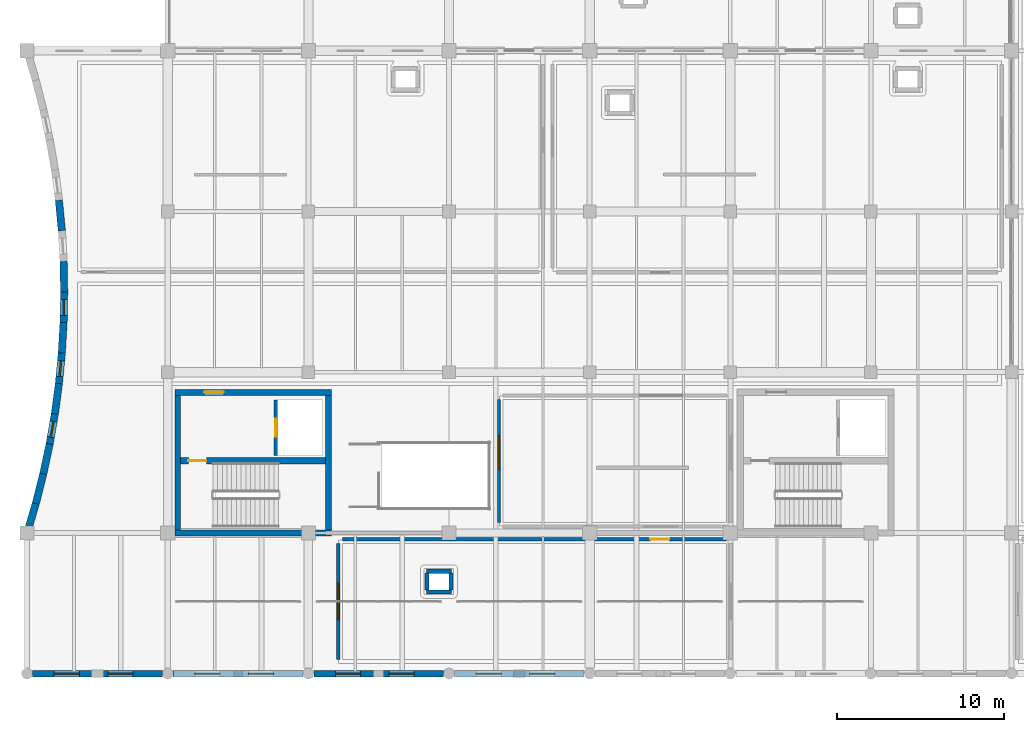
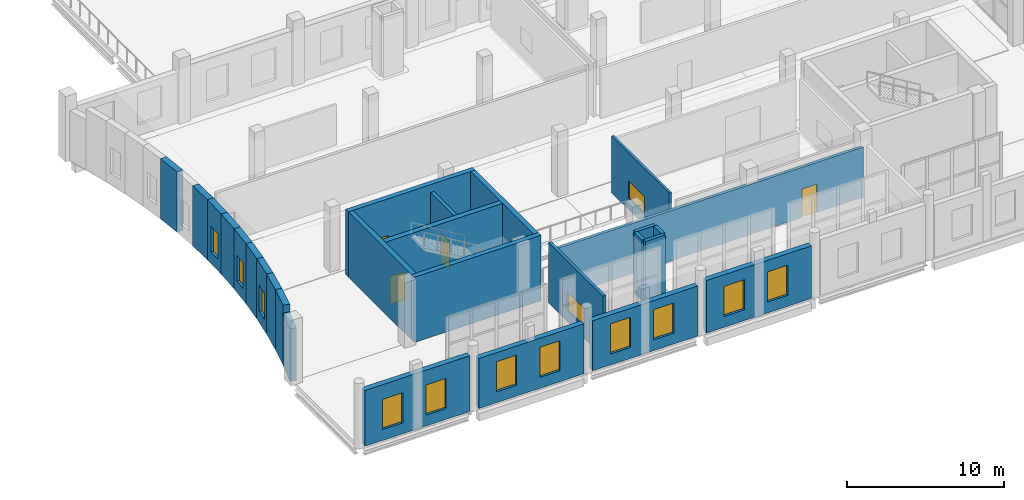
# One storey, part 54 of 73: 27 walls, 13 windows, 4 doors, 17 openings.
"""IFC4 building model written with IfcOpenShell, lengths in metres."""

from ifc_helpers import new_model, si_unit, direction, frame, frame_2d, origin, place, context, subcontext, project, spatial, rectangle, extrude, material, layer, layer_set, type_object, element, fill, save


model = new_model("IFC4")

# Units and contexts
model_context = context("Model", 3, precision=1e-05, world=origin(), true_north=direction((0.0, 1.0)))
body_context = subcontext(model_context, "Body", "Model", "MODEL_VIEW")
ifc_project = project(units=[si_unit("LENGTHUNIT", "METRE"), si_unit("AREAUNIT", "SQUARE_METRE"), si_unit("VOLUMEUNIT", "CUBIC_METRE"), si_unit("PLANEANGLEUNIT", "RADIAN"), si_unit("MASSUNIT", "GRAM", prefix="KILO")], contexts=[model_context])

# Site, building, storey
site_placement = place(None, origin())
site = spatial("IfcSite", under=ifc_project, at=site_placement, CompositionType="ELEMENT")
building_placement = place(site_placement, origin())
building = spatial("IfcBuilding", under=site, at=building_placement, Name="Zulmaris Art Gallery", CompositionType="ELEMENT")
storey_placement = place(building_placement, frame((0.0, 0.0, 10.5)))
storey = spatial("IfcBuildingStorey", under=building, at=storey_placement, Name="L02", CompositionType="ELEMENT", Elevation=10.5)

# Walls
ifc_material_1 = material(Name="Omani Cream Limestone Ashlar Masonry", Category="masonry")
ifc_layer_1 = layer(ifc_material_1, 0.43994140625)
ifc_layer_set_1 = layer_set([ifc_layer_1], Name="Omani Cream Limestone Ashlar Masonry")
wall_type_1 = type_object("IfcWallType", Name="ENV-WALL-EW01", PredefinedType="SOLIDWALL", material=ifc_layer_set_1)
wall_1_placement = place(storey_placement, frame((24.0, 21.60009765625, 0.0), z_axis=(0.0, 0.0, 1.0), x_axis=(0.281804764954, 0.959471768448, 0.0)))
element("IfcWall", 1, at=wall_1_placement, inside=storey, type_object=wall_type_1, Name="L02 Concave Scooped Limestone Chord 1", PredefinedType="SOLIDWALL", context=body_context, shape_type="SweptSolid", body=[
    extrude(rectangle(XDim=1.827880859375, YDim=0.43994140625, at=frame_2d((0.9140625, 0.0))), origin(), (0.0, 0.0, 1.0), 4.10009765625),
])
wall_2_placement = place(storey_placement, frame((24.51513671875, 23.35400390625, 0.0), z_axis=(0.0, 0.0, 1.0), x_axis=(0.245080262371, 0.969502792671, 0.0)))
element("IfcWall", 2, at=wall_2_placement, inside=storey, type_object=wall_type_1, Name="L02 Concave Scooped Limestone Chord 2", PredefinedType="SOLIDWALL", context=body_context, shape_type="SweptSolid", body=[
    extrude(rectangle(XDim=1.827880859375, YDim=0.43994140625, at=frame_2d((0.9140625, 0.0))), origin(), (0.0, 0.0, 1.0), 4.699951171875),
])
wall_3_placement = place(storey_placement, frame((24.963134765625, 25.126220703125, 0.0), z_axis=(0.0, 0.0, 1.0), x_axis=(0.207941813813, 0.978141197409, 0.0)))
element("IfcWall", 3, at=wall_3_placement, inside=storey, type_object=wall_type_1, Name="L02 Concave Scooped Limestone Chord 3", PredefinedType="SOLIDWALL", context=body_context, shape_type="SweptSolid", body=[
    extrude(rectangle(XDim=1.828125, YDim=0.43994140625, at=frame_2d((0.9140625, 0.0))), origin(), (0.0, 0.0, 1.0), 4.699951171875),
])

# Wall, opening, window
wall_4_placement = place(storey_placement, frame((25.34326171875, 26.914306640625, 0.0), z_axis=(0.0, 0.0, 1.0), x_axis=(0.170546420939, 0.985349642667, 0.0)))
wall_4 = element("IfcWall", 4, at=wall_4_placement, inside=storey, type_object=wall_type_1, Name="L02 Concave Scooped Limestone Chord 4", PredefinedType="SOLIDWALL", context=body_context, shape_type="SweptSolid", body=[
    extrude(rectangle(XDim=1.828125, YDim=0.43994140625, at=frame_2d((0.9140625, 0.0))), origin(), (0.0, 0.0, 1.0), 4.699951171875),
])
opening_1_placement = place(wall_4_placement, frame((0.419921875, 0.0, 0.89990234375)))
opening_1 = element("IfcOpeningElement", 5, at=opening_1_placement, cuts=wall_4, Name="Opening W06", PredefinedType="OPENING", context=body_context, shape_type="SweptSolid", body=[
    extrude(rectangle(XDim=0.949951171875, YDim=2.0, at=frame_2d((0.47509765625, 1.0))), frame((0.0, 0.22998046875, 0.0), z_axis=(0.0, -1.0, 0.0), x_axis=(1.0, 0.0, 0.0)), (0.0, 0.0, 1.0), 0.4599609375),
])
ifc_material_2 = material(Name="Art Deco Stepped-Head Pier Window", Category="glass")
window_type_1 = type_object("IfcWindowType", Name="WIN-W06", PartitioningType="SINGLE_PANEL", PredefinedType="WINDOW", material=ifc_material_2)
window_1_placement = place(opening_1_placement, origin())
window_1 = element("IfcWindow", 6, at=window_1_placement, inside=storey, type_object=window_type_1, Name="L02 exterior window W06", OverallHeight=2.0, OverallWidth=0.949951171875, PartitioningType="SINGLE_PANEL", PredefinedType="WINDOW", context=body_context, shape_type="SweptSolid", body=[
    extrude(rectangle(XDim=0.949951171875, YDim=2.0, at=frame_2d((0.47509765625, 1.0))), frame((0.0, 0.030029296875, 0.0), z_axis=(0.0, -1.0, 0.0), x_axis=(1.0, 0.0, 0.0)), (0.0, 0.0, 1.0), 0.06005859375),
])
fill(opening_1, window_1)

# Wall
wall_5_placement = place(storey_placement, frame((25.655029296875, 28.715576171875, 0.0), z_axis=(0.0, 0.0, 1.0), x_axis=(0.132872205914, 0.991133178183, 0.0)))
element("IfcWall", 7, at=wall_5_placement, inside=storey, type_object=wall_type_1, Name="L02 Concave Scooped Limestone Chord 5", PredefinedType="SOLIDWALL", context=body_context, shape_type="SweptSolid", body=[
    extrude(rectangle(XDim=1.828125, YDim=0.43994140625, at=frame_2d((0.9140625, 0.0))), origin(), (0.0, 0.0, 1.0), 4.699951171875),
])

# Wall, opening, window
wall_6_placement = place(storey_placement, frame((25.89794921875, 30.527587890625, 0.0), z_axis=(0.0, 0.0, 1.0), x_axis=(0.095099032001, 0.995467816714, 0.0)))
wall_6 = element("IfcWall", 8, at=wall_6_placement, inside=storey, type_object=wall_type_1, Name="L02 Concave Scooped Limestone Chord 6", PredefinedType="SOLIDWALL", context=body_context, shape_type="SweptSolid", body=[
    extrude(rectangle(XDim=1.827880859375, YDim=0.43994140625, at=frame_2d((0.9140625, 0.0))), origin(), (0.0, 0.0, 1.0), 4.699951171875),
])
opening_2_placement = place(wall_6_placement, frame((0.419921875, 0.0, 0.89990234375)))
opening_2 = element("IfcOpeningElement", 9, at=opening_2_placement, cuts=wall_6, Name="Opening W06", PredefinedType="OPENING", context=body_context, shape_type="SweptSolid", body=[
    extrude(rectangle(XDim=0.949951171875, YDim=2.0, at=frame_2d((0.47509765625, 1.0))), frame((0.0, 0.22998046875, 0.0), z_axis=(0.0, -1.0, 0.0), x_axis=(1.0, 0.0, 0.0)), (0.0, 0.0, 1.0), 0.4599609375),
])
window_2_placement = place(opening_2_placement, origin())
window_2 = element("IfcWindow", 10, at=window_2_placement, inside=storey, type_object=window_type_1, Name="L02 exterior window W06", OverallHeight=2.0, OverallWidth=0.949951171875, PartitioningType="SINGLE_PANEL", PredefinedType="WINDOW", context=body_context, shape_type="SweptSolid", body=[
    extrude(rectangle(XDim=0.949951171875, YDim=2.0, at=frame_2d((0.47509765625, 1.0))), frame((0.0, 0.030029296875, 0.0), z_axis=(0.0, -1.0, 0.0), x_axis=(1.0, 0.0, 0.0)), (0.0, 0.0, 1.0), 0.06005859375),
])
fill(opening_2, window_2)

# Wall
wall_7_placement = place(storey_placement, frame((26.07177734375, 32.34716796875, 0.0), z_axis=(0.0, 0.0, 1.0), x_axis=(0.057023168702, 0.998372855316, 0.0)))
element("IfcWall", 11, at=wall_7_placement, inside=storey, type_object=wall_type_1, Name="L02 Concave Scooped Limestone Chord 7", PredefinedType="SOLIDWALL", context=body_context, shape_type="SweptSolid", body=[
    extrude(rectangle(XDim=1.828125, YDim=0.43994140625, at=frame_2d((0.9140625, 0.0))), origin(), (0.0, 0.0, 1.0), 4.699951171875),
])

# Wall, opening, window
wall_8_placement = place(storey_placement, frame((26.176025390625, 34.17236328125, 0.0), z_axis=(0.0, 0.0, 1.0), x_axis=(0.019098840085, 0.999817600519, 0.0)))
wall_8 = element("IfcWall", 12, at=wall_8_placement, inside=storey, type_object=wall_type_1, Name="L02 Concave Scooped Limestone Chord 8", PredefinedType="SOLIDWALL", context=body_context, shape_type="SweptSolid", body=[
    extrude(rectangle(XDim=1.827880859375, YDim=0.43994140625, at=frame_2d((0.9140625, 0.0))), origin(), (0.0, 0.0, 1.0), 4.699951171875),
])
opening_3_placement = place(wall_8_placement, frame((0.419921875, 0.0, 0.89990234375)))
opening_3 = element("IfcOpeningElement", 13, at=opening_3_placement, cuts=wall_8, Name="Opening W06", PredefinedType="OPENING", context=body_context, shape_type="SweptSolid", body=[
    extrude(rectangle(XDim=0.949951171875, YDim=2.0, at=frame_2d((0.47509765625, 1.0))), frame((0.0, 0.22998046875, 0.0), z_axis=(0.0, -1.0, 0.0), x_axis=(1.0, 0.0, 0.0)), (0.0, 0.0, 1.0), 0.4599609375),
])
window_3_placement = place(opening_3_placement, origin())
window_3 = element("IfcWindow", 14, at=window_3_placement, inside=storey, type_object=window_type_1, Name="L02 exterior window W06", OverallHeight=2.0, OverallWidth=0.949951171875, PartitioningType="SINGLE_PANEL", PredefinedType="WINDOW", context=body_context, shape_type="SweptSolid", body=[
    extrude(rectangle(XDim=0.949951171875, YDim=2.0, at=frame_2d((0.47509765625, 1.0))), frame((0.0, 0.030029296875, 0.0), z_axis=(0.0, -1.0, 0.0), x_axis=(1.0, 0.0, 0.0)), (0.0, 0.0, 1.0), 0.06005859375),
])
fill(opening_3, window_3)

# Walls
for number, where, z_axis, x_axis, name in (
    (15, (26.2109375, 36.0, 0.0), (0.0, 0.0, 1.0), (-0.019098840085, 0.999817600519, 0.0), "L02 Concave Scooped Limestone Chord 9"),
    (16, (26.07177734375, 39.65283203125, 0.0), (0.0, 0.0, 1.0), (-0.095099032001, 0.995467816714, 0.0), "L02 Concave Scooped Limestone Chord 11"),
):
    element("IfcWall", number, at=place(storey_placement, frame(where, z_axis=z_axis, x_axis=x_axis)), inside=storey, type_object=wall_type_1, Name=name, PredefinedType="SOLIDWALL", context=body_context, shape_type="SweptSolid", body=[
        extrude(rectangle(XDim=1.827880859375, YDim=0.43994140625, at=frame_2d((0.9140625, 0.0))), origin(), (0.0, 0.0, 1.0), 4.699951171875),
    ])

# Wall, openings, windows
ifc_material_3 = material(Name="Omani Desert Rose Limestone Cladding Wall", Category="masonry")
ifc_layer_2 = layer(ifc_material_3, 0.389892578125)
ifc_layer_set_2 = layer_set([ifc_layer_2], Name="Omani Desert Rose Limestone Cladding Wall")
wall_type_2 = type_object("IfcWallType", Name="ENV-WALL-EW02", PredefinedType="SOLIDWALL", material=ifc_layer_set_2)
wall_9_placement = place(storey_placement, frame((24.326904296875, 13.199951171875, 0.0), z_axis=(0.0, 0.0, 1.0), x_axis=(1.0, 0.0, 0.0)))
wall_9 = element("IfcWall", 17, at=wall_9_placement, inside=storey, type_object=wall_type_2, Name="L02 V2 South Street Wall 1", PredefinedType="SOLIDWALL", context=body_context, shape_type="SweptSolid", body=[
    extrude(rectangle(XDim=7.74609375, YDim=0.389892578125, at=frame_2d((3.873046875, 0.0))), origin(), (0.0, 0.0, 1.0), 4.35009765625),
])
opening_4_placement = place(wall_9_placement, frame((1.29296875, 0.0, 0.85009765625)))
opening_4 = element("IfcOpeningElement", 18, at=opening_4_placement, cuts=wall_9, Name="Opening W07", PredefinedType="OPENING", context=body_context, shape_type="SweptSolid", body=[
    extrude(rectangle(XDim=1.5, YDim=2.35009765625, at=frame_2d((0.75, 1.175048828125))), frame((0.0, 0.204833984375, 0.0), z_axis=(0.0, -1.0, 0.0), x_axis=(1.0, 0.0, 0.0)), (0.0, 0.0, 1.0), 0.409912109375),
])
opening_5_placement = place(wall_9_placement, frame((4.492919921875, 0.0, 0.85009765625)))
opening_5 = element("IfcOpeningElement", 19, at=opening_5_placement, cuts=wall_9, Name="Opening W07", PredefinedType="OPENING", context=body_context, shape_type="SweptSolid", body=[
    extrude(rectangle(XDim=1.5, YDim=2.35009765625, at=frame_2d((0.75, 1.175048828125))), frame((0.0, 0.204833984375, 0.0), z_axis=(0.0, -1.0, 0.0), x_axis=(1.0, 0.0, 0.0)), (0.0, 0.0, 1.0), 0.409912109375),
])
ifc_material_4 = material(Name="Gallery Cloister Bronze Window", Category="glass")
window_type_2 = type_object("IfcWindowType", Name="WIN-W07", PartitioningType="SINGLE_PANEL", PredefinedType="WINDOW", material=ifc_material_4)
window_4_placement = place(opening_4_placement, origin())
window_4 = element("IfcWindow", 20, at=window_4_placement, inside=storey, type_object=window_type_2, Name="L02 exterior window W07", OverallHeight=2.35009765625, OverallWidth=1.5, PartitioningType="SINGLE_PANEL", PredefinedType="WINDOW", context=body_context, shape_type="SweptSolid", body=[
    extrude(rectangle(XDim=1.5, YDim=2.35009765625, at=frame_2d((0.75, 1.175048828125))), frame((0.0, 0.030029296875, 0.0), z_axis=(0.0, -1.0, 0.0), x_axis=(1.0, 0.0, 0.0)), (0.0, 0.0, 1.0), 0.06005859375),
])
fill(opening_4, window_4)
window_5_placement = place(opening_5_placement, origin())
window_5 = element("IfcWindow", 21, at=window_5_placement, inside=storey, type_object=window_type_2, Name="L02 exterior window W07", OverallHeight=2.35009765625, OverallWidth=1.5, PartitioningType="SINGLE_PANEL", PredefinedType="WINDOW", context=body_context, shape_type="SweptSolid", body=[
    extrude(rectangle(XDim=1.5, YDim=2.35009765625, at=frame_2d((0.75, 1.175048828125))), frame((0.0, 0.030029296875, 0.0), z_axis=(0.0, -1.0, 0.0), x_axis=(1.0, 0.0, 0.0)), (0.0, 0.0, 1.0), 0.06005859375),
])
fill(opening_5, window_5)

wall_10_placement = place(storey_placement, frame((32.72705078125, 13.199951171875, 0.0), z_axis=(0.0, 0.0, 1.0), x_axis=(1.0, 0.0, 0.0)))
wall_10 = element("IfcWall", 22, at=wall_10_placement, inside=storey, type_object=wall_type_2, Name="L02 V2 South Street Wall 2", PredefinedType="SOLIDWALL", context=body_context, shape_type="SweptSolid", body=[
    extrude(rectangle(XDim=7.745849609375, YDim=0.389892578125, at=frame_2d((3.873046875, 0.0))), origin(), (0.0, 0.0, 1.0), 3.89990234375),
])
opening_6_placement = place(wall_10_placement, frame((1.29296875, 0.0, 0.85009765625)))
opening_6 = element("IfcOpeningElement", 23, at=opening_6_placement, cuts=wall_10, Name="Opening W07", PredefinedType="OPENING", context=body_context, shape_type="SweptSolid", body=[
    extrude(rectangle(XDim=1.5, YDim=2.35009765625, at=frame_2d((0.75, 1.175048828125))), frame((0.0, 0.204833984375, 0.0), z_axis=(0.0, -1.0, 0.0), x_axis=(1.0, 0.0, 0.0)), (0.0, 0.0, 1.0), 0.409912109375),
])
opening_7_placement = place(wall_10_placement, frame((4.492919921875, 0.0, 0.85009765625)))
opening_7 = element("IfcOpeningElement", 24, at=opening_7_placement, cuts=wall_10, Name="Opening W07", PredefinedType="OPENING", context=body_context, shape_type="SweptSolid", body=[
    extrude(rectangle(XDim=1.5, YDim=2.35009765625, at=frame_2d((0.75, 1.175048828125))), frame((0.0, 0.204833984375, 0.0), z_axis=(0.0, -1.0, 0.0), x_axis=(1.0, 0.0, 0.0)), (0.0, 0.0, 1.0), 0.409912109375),
])
window_6_placement = place(opening_6_placement, origin())
window_6 = element("IfcWindow", 25, at=window_6_placement, inside=storey, type_object=window_type_2, Name="L02 exterior window W07", OverallHeight=2.35009765625, OverallWidth=1.5, PartitioningType="SINGLE_PANEL", PredefinedType="WINDOW", context=body_context, shape_type="SweptSolid", body=[
    extrude(rectangle(XDim=1.5, YDim=2.35009765625, at=frame_2d((0.75, 1.175048828125))), frame((0.0, 0.030029296875, 0.0), z_axis=(0.0, -1.0, 0.0), x_axis=(1.0, 0.0, 0.0)), (0.0, 0.0, 1.0), 0.06005859375),
])
fill(opening_6, window_6)
window_7_placement = place(opening_7_placement, origin())
window_7 = element("IfcWindow", 26, at=window_7_placement, inside=storey, type_object=window_type_2, Name="L02 exterior window W07", OverallHeight=2.35009765625, OverallWidth=1.5, PartitioningType="SINGLE_PANEL", PredefinedType="WINDOW", context=body_context, shape_type="SweptSolid", body=[
    extrude(rectangle(XDim=1.5, YDim=2.35009765625, at=frame_2d((0.75, 1.175048828125))), frame((0.0, 0.030029296875, 0.0), z_axis=(0.0, -1.0, 0.0), x_axis=(1.0, 0.0, 0.0)), (0.0, 0.0, 1.0), 0.06005859375),
])
fill(opening_7, window_7)

wall_11_placement = place(storey_placement, frame((41.126953125, 13.199951171875, 0.0), z_axis=(0.0, 0.0, 1.0), x_axis=(1.0, 0.0, 0.0)))
wall_11 = element("IfcWall", 27, at=wall_11_placement, inside=storey, type_object=wall_type_2, Name="L02 V2 South Street Wall 3", PredefinedType="SOLIDWALL", context=body_context, shape_type="SweptSolid", body=[
    extrude(rectangle(XDim=7.74609375, YDim=0.389892578125, at=frame_2d((3.873046875, 0.0))), origin(), (0.0, 0.0, 1.0), 3.89990234375),
])
opening_8_placement = place(wall_11_placement, frame((1.29296875, 0.0, 0.85009765625)))
opening_8 = element("IfcOpeningElement", 28, at=opening_8_placement, cuts=wall_11, Name="Opening W07", PredefinedType="OPENING", context=body_context, shape_type="SweptSolid", body=[
    extrude(rectangle(XDim=1.5, YDim=2.35009765625, at=frame_2d((0.75, 1.175048828125))), frame((0.0, 0.204833984375, 0.0), z_axis=(0.0, -1.0, 0.0), x_axis=(1.0, 0.0, 0.0)), (0.0, 0.0, 1.0), 0.409912109375),
])
opening_9_placement = place(wall_11_placement, frame((4.492919921875, 0.0, 0.85009765625)))
opening_9 = element("IfcOpeningElement", 29, at=opening_9_placement, cuts=wall_11, Name="Opening W07", PredefinedType="OPENING", context=body_context, shape_type="SweptSolid", body=[
    extrude(rectangle(XDim=1.5, YDim=2.35009765625, at=frame_2d((0.75, 1.175048828125))), frame((0.0, 0.204833984375, 0.0), z_axis=(0.0, -1.0, 0.0), x_axis=(1.0, 0.0, 0.0)), (0.0, 0.0, 1.0), 0.409912109375),
])
window_8_placement = place(opening_8_placement, origin())
window_8 = element("IfcWindow", 30, at=window_8_placement, inside=storey, type_object=window_type_2, Name="L02 exterior window W07", OverallHeight=2.35009765625, OverallWidth=1.5, PartitioningType="SINGLE_PANEL", PredefinedType="WINDOW", context=body_context, shape_type="SweptSolid", body=[
    extrude(rectangle(XDim=1.5, YDim=2.35009765625, at=frame_2d((0.75, 1.175048828125))), frame((0.0, 0.030029296875, 0.0), z_axis=(0.0, -1.0, 0.0), x_axis=(1.0, 0.0, 0.0)), (0.0, 0.0, 1.0), 0.06005859375),
])
fill(opening_8, window_8)
window_9_placement = place(opening_9_placement, origin())
window_9 = element("IfcWindow", 31, at=window_9_placement, inside=storey, type_object=window_type_2, Name="L02 exterior window W07", OverallHeight=2.35009765625, OverallWidth=1.5, PartitioningType="SINGLE_PANEL", PredefinedType="WINDOW", context=body_context, shape_type="SweptSolid", body=[
    extrude(rectangle(XDim=1.5, YDim=2.35009765625, at=frame_2d((0.75, 1.175048828125))), frame((0.0, 0.030029296875, 0.0), z_axis=(0.0, -1.0, 0.0), x_axis=(1.0, 0.0, 0.0)), (0.0, 0.0, 1.0), 0.06005859375),
])
fill(opening_9, window_9)

wall_12_placement = place(storey_placement, frame((49.527099609375, 13.199951171875, 0.0), z_axis=(0.0, 0.0, 1.0), x_axis=(1.0, 0.0, 0.0)))
wall_12 = element("IfcWall", 32, at=wall_12_placement, inside=storey, type_object=wall_type_2, Name="L02 V2 South Street Wall 4", PredefinedType="SOLIDWALL", context=body_context, shape_type="SweptSolid", body=[
    extrude(rectangle(XDim=7.745849609375, YDim=0.389892578125, at=frame_2d((3.873046875, 0.0))), origin(), (0.0, 0.0, 1.0), 4.10009765625),
])
opening_10_placement = place(wall_12_placement, frame((1.29296875, 0.0, 0.85009765625)))
opening_10 = element("IfcOpeningElement", 33, at=opening_10_placement, cuts=wall_12, Name="Opening W07", PredefinedType="OPENING", context=body_context, shape_type="SweptSolid", body=[
    extrude(rectangle(XDim=1.5, YDim=2.35009765625, at=frame_2d((0.75, 1.175048828125))), frame((0.0, 0.204833984375, 0.0), z_axis=(0.0, -1.0, 0.0), x_axis=(1.0, 0.0, 0.0)), (0.0, 0.0, 1.0), 0.409912109375),
])
opening_11_placement = place(wall_12_placement, frame((4.492919921875, 0.0, 0.85009765625)))
opening_11 = element("IfcOpeningElement", 34, at=opening_11_placement, cuts=wall_12, Name="Opening W07", PredefinedType="OPENING", context=body_context, shape_type="SweptSolid", body=[
    extrude(rectangle(XDim=1.5, YDim=2.35009765625, at=frame_2d((0.75, 1.175048828125))), frame((0.0, 0.204833984375, 0.0), z_axis=(0.0, -1.0, 0.0), x_axis=(1.0, 0.0, 0.0)), (0.0, 0.0, 1.0), 0.409912109375),
])
window_10_placement = place(opening_10_placement, origin())
window_10 = element("IfcWindow", 35, at=window_10_placement, inside=storey, type_object=window_type_2, Name="L02 exterior window W07", OverallHeight=2.35009765625, OverallWidth=1.5, PartitioningType="SINGLE_PANEL", PredefinedType="WINDOW", context=body_context, shape_type="SweptSolid", body=[
    extrude(rectangle(XDim=1.5, YDim=2.35009765625, at=frame_2d((0.75, 1.175048828125))), frame((0.0, 0.030029296875, 0.0), z_axis=(0.0, -1.0, 0.0), x_axis=(1.0, 0.0, 0.0)), (0.0, 0.0, 1.0), 0.06005859375),
])
fill(opening_10, window_10)
window_11_placement = place(opening_11_placement, origin())
window_11 = element("IfcWindow", 36, at=window_11_placement, inside=storey, type_object=window_type_2, Name="L02 exterior window W07", OverallHeight=2.35009765625, OverallWidth=1.5, PartitioningType="SINGLE_PANEL", PredefinedType="WINDOW", context=body_context, shape_type="SweptSolid", body=[
    extrude(rectangle(XDim=1.5, YDim=2.35009765625, at=frame_2d((0.75, 1.175048828125))), frame((0.0, 0.030029296875, 0.0), z_axis=(0.0, -1.0, 0.0), x_axis=(1.0, 0.0, 0.0)), (0.0, 0.0, 1.0), 0.06005859375),
])
fill(opening_11, window_11)

# Wall, opening, window
ifc_material_5 = material(Name="Acoustic Studio Separation Partition", Category="gypsum")
ifc_layer_3 = layer(ifc_material_5, 0.175048828125)
ifc_layer_set_3 = layer_set([ifc_layer_3], Name="Acoustic Studio Separation Partition")
wall_type_3 = type_object("IfcWallType", Name="IWALL-PW06", PredefinedType="PARTITIONING", material=ifc_layer_set_3)
wall_13_placement = place(storey_placement, frame((52.179931640625, 22.22998046875, 0.0), z_axis=(0.0, 0.0, 1.0), x_axis=(0.0, 1.0, 0.0)))
wall_13 = element("IfcWall", 37, at=wall_13_placement, inside=storey, type_object=wall_type_3, Name="Works on Paper & Rare Prints Gallery W partition", PredefinedType="PARTITIONING", context=body_context, shape_type="SweptSolid", body=[
    extrude(rectangle(XDim=7.340087890625, YDim=0.175048828125, at=frame_2d((3.669921875, 0.0))), origin(), (0.0, 0.0, 1.0), 4.429931640625),
])
opening_12_placement = place(wall_13_placement, frame((3.14990234375, 0.0, 0.89990234375)))
opening_12 = element("IfcOpeningElement", 38, at=opening_12_placement, cuts=wall_13, Name="Opening IW10", PredefinedType="OPENING", context=body_context, shape_type="SweptSolid", body=[
    extrude(rectangle(XDim=2.02001953125, YDim=1.320068359375, at=frame_2d((1.010009765625, 0.66015625))), frame((0.0, 0.097412109375, 0.0), z_axis=(0.0, -1.0, 0.0), x_axis=(1.0, 0.0, 0.0)), (0.0, 0.0, 1.0), 0.195068359375),
])
ifc_material_6 = material(Name="Seminar Acoustic Viewing Window", Category="glass")
window_type_3 = type_object("IfcWindowType", Name="IWIN-IW10", PartitioningType="SINGLE_PANEL", PredefinedType="WINDOW", material=ifc_material_6)
window_12_placement = place(opening_12_placement, origin())
window_12 = element("IfcWindow", 39, at=window_12_placement, inside=storey, type_object=window_type_3, Name="L02 interior observation window IW10", OverallHeight=1.320068359375, OverallWidth=2.02001953125, PartitioningType="SINGLE_PANEL", PredefinedType="WINDOW", context=body_context, shape_type="SweptSolid", body=[
    extrude(rectangle(XDim=2.02001953125, YDim=1.320068359375, at=frame_2d((1.010009765625, 0.66015625))), frame((0.0, 0.030029296875, 0.0), z_axis=(0.0, -1.0, 0.0), x_axis=(1.0, 0.0, 0.0)), (0.0, 0.0, 1.0), 0.06005859375),
])
fill(opening_12, window_12)

# Wall, opening, door
ifc_material_7 = material(Name="Hygrometric Art Store Buffer Wall", Category="masonry")
ifc_layer_4 = layer(ifc_material_7, 0.219970703125)
ifc_layer_set_4 = layer_set([ifc_layer_4], Name="Hygrometric Art Store Buffer Wall")
wall_type_4 = type_object("IfcWallType", Name="IWALL-PW09", PredefinedType="PARTITIONING", material=ifc_layer_set_4)
wall_14_placement = place(storey_placement, frame((42.830078125, 21.219970703125, 0.0), z_axis=(0.0, 0.0, 1.0), x_axis=(1.0, 0.0, 0.0)))
wall_14 = element("IfcWall", 40, at=wall_14_placement, inside=storey, type_object=wall_type_4, Name="South Upper Arcade Gallery N partition", PredefinedType="PARTITIONING", context=body_context, shape_type="SweptSolid", body=[
    extrude(rectangle(XDim=22.93994140625, YDim=0.219970703125, at=frame_2d((11.469970703125, 0.0))), origin(), (0.0, 0.0, 1.0), 3.89990234375),
])
opening_13_placement = place(wall_14_placement, frame((18.39990234375, 0.0, 0.0)))
opening_13 = element("IfcOpeningElement", 41, at=opening_13_placement, cuts=wall_14, Name="Opening D06", PredefinedType="OPENING", context=body_context, shape_type="SweptSolid", body=[
    extrude(rectangle(XDim=1.1201171875, YDim=2.219970703125, at=frame_2d((0.56005859375, 1.10986328125))), frame((0.0, 0.119873046875, 0.0), z_axis=(0.0, -1.0, 0.0), x_axis=(1.0, 0.0, 0.0)), (0.0, 0.0, 1.0), 0.239990234375),
])
ifc_material_8 = material(Name="Seminar & Library Single Door", Category="timber")
door_type_1 = type_object("IfcDoorType", Name="IDOOR-D06", OperationType="NOTDEFINED", PredefinedType="DOOR", material=ifc_material_8)
door_1_placement = place(opening_13_placement, origin())
door_1 = element("IfcDoor", 42, at=door_1_placement, inside=storey, type_object=door_type_1, Name="South Upper Arcade Gallery Door", OperationType="SINGLE_SWING_LEFT", OverallHeight=2.219970703125, OverallWidth=1.1201171875, PredefinedType="DOOR", context=body_context, shape_type="SweptSolid", body=[
    extrude(rectangle(XDim=1.1201171875, YDim=2.219970703125, at=frame_2d((0.56005859375, 1.10986328125))), frame((0.0, 0.02490234375, 0.0), z_axis=(0.0, -1.0, 0.0), x_axis=(1.0, 0.0, 0.0)), (0.0, 0.0, 1.0), 0.050048828125),
])
fill(opening_13, door_1)

# Wall, opening, window
wall_15_placement = place(storey_placement, frame((42.580078125, 14.030029296875, 0.0), z_axis=(0.0, 0.0, 1.0), x_axis=(0.0, 1.0, 0.0)))
wall_15 = element("IfcWall", 43, at=wall_15_placement, inside=storey, type_object=wall_type_4, Name="South Upper Arcade Gallery W partition", PredefinedType="PARTITIONING", context=body_context, shape_type="SweptSolid", body=[
    extrude(rectangle(XDim=6.93994140625, YDim=0.219970703125, at=frame_2d((3.469970703125, 0.0))), origin(), (0.0, 0.0, 1.0), 4.719970703125),
])
opening_14_placement = place(wall_15_placement, frame((2.39990234375, 0.0, 0.89990234375)))
opening_14 = element("IfcOpeningElement", 44, at=opening_14_placement, cuts=wall_15, Name="Opening IW03", PredefinedType="OPENING", context=body_context, shape_type="SweptSolid", body=[
    extrude(rectangle(XDim=2.159912109375, YDim=1.419921875, at=frame_2d((1.080078125, 0.7099609375))), frame((0.0, 0.119873046875, 0.0), z_axis=(0.0, -1.0, 0.0), x_axis=(1.0, 0.0, 0.0)), (0.0, 0.0, 1.0), 0.239990234375),
])
ifc_material_9 = material(Name="Analytical Lab Observation Window", Category="glass")
window_type_4 = type_object("IfcWindowType", Name="IWIN-IW03", PartitioningType="SINGLE_PANEL", PredefinedType="WINDOW", material=ifc_material_9)
window_13_placement = place(opening_14_placement, origin())
window_13 = element("IfcWindow", 45, at=window_13_placement, inside=storey, type_object=window_type_4, Name="L02 interior observation window IW03", OverallHeight=1.419921875, OverallWidth=2.159912109375, PartitioningType="SINGLE_PANEL", PredefinedType="WINDOW", context=body_context, shape_type="SweptSolid", body=[
    extrude(rectangle(XDim=2.159912109375, YDim=1.419921875, at=frame_2d((1.080078125, 0.7099609375))), frame((0.0, 0.030029296875, 0.0), z_axis=(0.0, -1.0, 0.0), x_axis=(1.0, 0.0, 0.0)), (0.0, 0.0, 1.0), 0.06005859375),
])
fill(opening_14, window_13)

# Wall, opening, door
ifc_material_10 = material(Name="Core Lobby Fire-Resisting Masonry Wall", Category="masonry")
ifc_layer_5 = layer(ifc_material_10, 0.235107421875)
ifc_layer_set_5 = layer_set([ifc_layer_5], Name="Core Lobby Fire-Resisting Masonry Wall")
wall_type_5 = type_object("IfcWallType", Name="IWALL-PW10", PredefinedType="PARTITIONING", material=ifc_layer_set_5)
wall_16_placement = place(storey_placement, frame((38.85009765625, 26.219970703125, 0.0), z_axis=(0.0, 0.0, 1.0), x_axis=(0.0, 1.0, 0.0)))
wall_16 = element("IfcWall", 46, at=wall_16_placement, inside=storey, type_object=wall_type_5, Name="LF-P1 L02 lift shaft front wall", PredefinedType="PARTITIONING", context=body_context, shape_type="SweptSolid", body=[
    extrude(rectangle(XDim=3.330078125, YDim=0.235107421875, at=frame_2d((1.6650390625, 0.0))), origin(), (0.0, 0.0, 1.0), 4.719970703125),
])
opening_15_placement = place(wall_16_placement, frame((1.114990234375, 0.0, 0.0)))
opening_15 = element("IfcOpeningElement", 47, at=opening_15_placement, cuts=wall_16, Name="Opening LD01", PredefinedType="OPENING", context=body_context, shape_type="SweptSolid", body=[
    extrude(rectangle(XDim=1.10009765625, YDim=2.199951171875, at=frame_2d((0.550048828125, 1.10009765625))), frame((0.0, 0.12744140625, 0.0), z_axis=(0.0, -1.0, 0.0), x_axis=(1.0, 0.0, 0.0)), (0.0, 0.0, 1.0), 0.255126953125),
])
ifc_material_11 = material(Name="Passenger Lift Sliding Landing Door", Category="steel")
door_type_2 = type_object("IfcDoorType", Name="IDOOR-LD01", OperationType="SLIDING_TO_LEFT", PredefinedType="DOOR", material=ifc_material_11)
door_2_placement = place(opening_15_placement, origin())
door_2 = element("IfcDoor", 48, at=door_2_placement, inside=storey, type_object=door_type_2, Name="LF-P1 L02 Lift Landing Sliding Door", OperationType="SLIDING_TO_LEFT", OverallHeight=2.199951171875, OverallWidth=1.10009765625, PredefinedType="DOOR", context=body_context, shape_type="SweptSolid", body=[
    extrude(rectangle(XDim=1.10009765625, YDim=2.199951171875, at=frame_2d((0.550048828125, 1.10009765625))), frame((0.0, 0.02490234375, 0.0), z_axis=(0.0, -1.0, 0.0), x_axis=(1.0, 0.0, 0.0)), (0.0, 0.0, 1.0), 0.050048828125),
])
fill(opening_15, door_2)

# Walls
ifc_material_12 = material(Name="MEP Riser & Smoke Shaft Enclosure Wall", Category="masonry")
ifc_layer_6 = layer(ifc_material_12, 0.2548828125)
ifc_layer_set_6 = layer_set([ifc_layer_6], Name="MEP Riser & Smoke Shaft Enclosure Wall")
wall_type_6 = type_object("IfcWallType", Name="IWALL-PW11", PredefinedType="PARTITIONING", material=ifc_layer_set_6)
for number, where, z_axis, x_axis, name in (
    (49, (47.860107421875, 19.320068359375, 0.0), (0.0, 0.0, 1.0), (1.0, 0.0, 0.0), "L02 MEP Riser 4 N wall"),
    (50, (47.860107421875, 18.080078125, 0.0), (0.0, 0.0, 1.0), (1.0, 0.0, 0.0), "L02 MEP Riser 4 S wall"),
):
    element("IfcWall", number, at=place(storey_placement, frame(where, z_axis=z_axis, x_axis=x_axis)), inside=storey, type_object=wall_type_6, Name=name, PredefinedType="PARTITIONING", context=body_context, shape_type="SweptSolid", body=[
        extrude(rectangle(XDim=1.47998046875, YDim=0.2548828125, at=frame_2d((0.739990234375, 0.0))), origin(), (0.0, 0.0, 1.0), 4.719970703125),
    ])
for number, where, z_axis, x_axis, name in (
    (51, (47.8798828125, 18.199951171875, 0.0), (0.0, 0.0, 1.0), (0.0, 1.0, 0.0), "L02 MEP Riser 4 W wall"),
    (52, (49.320068359375, 18.199951171875, 0.0), (0.0, 0.0, 1.0), (0.0, 1.0, 0.0), "L02 MEP Riser 4 E wall"),
):
    element("IfcWall", number, at=place(storey_placement, frame(where, z_axis=z_axis, x_axis=x_axis)), inside=storey, type_object=wall_type_6, Name=name, PredefinedType="PARTITIONING", context=body_context, shape_type="SweptSolid", body=[
        extrude(rectangle(XDim=1.0, YDim=0.2548828125, at=frame_2d((0.5, 0.0))), origin(), (0.0, 0.0, 1.0), 4.719970703125),
    ])
ifc_material_13 = material(Name="Concrete C50/60", Category="concrete")
ifc_layer_7 = layer(ifc_material_13, 0.35009765625)
ifc_layer_set_7 = layer_set([ifc_layer_7], Name="Concrete C50/60")
wall_type_7 = type_object("IfcWallType", Name="STR-WALL-SW01", PredefinedType="SHEAR", material=ifc_layer_set_7)
wall_17_placement = place(storey_placement, frame((32.824951171875, 21.60009765625, 0.0), z_axis=(0.0, 0.0, 1.0), x_axis=(1.0, 0.0, 0.0)))
element("IfcWall", 53, at=wall_17_placement, inside=storey, type_object=wall_type_7, Name="Core C1 L02 S shear wall", PredefinedType="SHEAR", context=body_context, shape_type="SweptSolid", body=[
    extrude(rectangle(XDim=9.35009765625, YDim=0.35009765625, at=frame_2d((4.675048828125, 0.0))), origin(), (0.0, 0.0, 1.0), 5.10009765625),
])

# Wall, opening, door
wall_18_placement = place(storey_placement, frame((32.824951171875, 30.0, 0.0), z_axis=(0.0, 0.0, 1.0), x_axis=(1.0, 0.0, 0.0)))
wall_18 = element("IfcWall", 54, at=wall_18_placement, inside=storey, type_object=wall_type_7, Name="Core C1 L02 N shear wall", PredefinedType="SHEAR", context=body_context, shape_type="SweptSolid", body=[
    extrude(rectangle(XDim=9.35009765625, YDim=0.35009765625, at=frame_2d((4.675048828125, 0.0))), origin(), (0.0, 0.0, 1.0), 5.10009765625),
])
opening_16_placement = place(wall_18_placement, frame((1.75, 0.0, 0.0)))
opening_16 = element("IfcOpeningElement", 55, at=opening_16_placement, cuts=wall_18, Name="Opening D08", PredefinedType="OPENING", context=body_context, shape_type="SweptSolid", body=[
    extrude(rectangle(XDim=1.179931640625, YDim=2.239990234375, at=frame_2d((0.58984375, 1.1201171875))), frame((0.0, 0.18505859375, 0.0), z_axis=(0.0, -1.0, 0.0), x_axis=(1.0, 0.0, 0.0)), (0.0, 0.0, 1.0), 0.3701171875),
])
ifc_material_14 = material(Name="Firefighting Lobby Compartment Door", Category="steel")
door_type_3 = type_object("IfcDoorType", Name="IDOOR-D08", OperationType="NOTDEFINED", PredefinedType="DOOR", material=ifc_material_14)
door_3_placement = place(opening_16_placement, origin())
door_3 = element("IfcDoor", 56, at=door_3_placement, inside=storey, type_object=door_type_3, Name="Core C1 L02 Lobby Compartment Door", OperationType="SINGLE_SWING_RIGHT", OverallHeight=2.239990234375, OverallWidth=1.179931640625, PredefinedType="DOOR", context=body_context, shape_type="SweptSolid", body=[
    extrude(rectangle(XDim=1.179931640625, YDim=2.239990234375, at=frame_2d((0.58984375, 1.1201171875))), frame((0.0, 0.02490234375, 0.0), z_axis=(0.0, -1.0, 0.0), x_axis=(1.0, 0.0, 0.0)), (0.0, 0.0, 1.0), 0.050048828125),
])
fill(opening_16, door_3)

# Walls
for number, where, z_axis, x_axis, name in (
    (57, (33.0, 21.77490234375, 0.0), (0.0, 0.0, 1.0), (0.0, 1.0, 0.0), "Core C1 L02 W shear wall"),
    (58, (42.0, 21.77490234375, 0.0), (0.0, 0.0, 1.0), (0.0, 1.0, 0.0), "Core C1 L02 E shear wall"),
):
    element("IfcWall", number, at=place(storey_placement, frame(where, z_axis=z_axis, x_axis=x_axis)), inside=storey, type_object=wall_type_7, Name=name, PredefinedType="SHEAR", context=body_context, shape_type="SweptSolid", body=[
        extrude(rectangle(XDim=8.050048828125, YDim=0.35009765625, at=frame_2d((4.02490234375, 0.0))), origin(), (0.0, 0.0, 1.0), 5.10009765625),
    ])

# Wall, opening, door
ifc_layer_8 = layer(ifc_material_13, 0.3798828125)
ifc_layer_set_8 = layer_set([ifc_layer_8], Name="Concrete C50/60")
wall_type_8 = type_object("IfcWallType", Name="STR-WALL-SW02", PredefinedType="SHEAR", material=ifc_layer_set_8)
wall_19_placement = place(storey_placement, frame((33.175048828125, 25.909912109375, 0.0), z_axis=(0.0, 0.0, 1.0), x_axis=(1.0, 0.0, 0.0)))
wall_19 = element("IfcWall", 59, at=wall_19_placement, inside=storey, type_object=wall_type_8, Name="Core C1 L02 DIV shear wall", PredefinedType="SHEAR", context=body_context, shape_type="SweptSolid", body=[
    extrude(rectangle(XDim=8.64990234375, YDim=0.3798828125, at=frame_2d((4.324951171875, 0.0))), origin(), (0.0, 0.0, 1.0), 5.10009765625),
])
opening_17_placement = place(wall_19_placement, frame((0.449951171875, 0.0, 0.0)))
opening_17 = element("IfcOpeningElement", 60, at=opening_17_placement, cuts=wall_19, Name="Opening D07", PredefinedType="OPENING", context=body_context, shape_type="SweptSolid", body=[
    extrude(rectangle(XDim=1.080078125, YDim=2.179931640625, at=frame_2d((0.5400390625, 1.08984375))), frame((0.0, 0.199951171875, 0.0), z_axis=(0.0, -1.0, 0.0), x_axis=(1.0, 0.0, 0.0)), (0.0, 0.0, 1.0), 0.39990234375),
])
ifc_material_15 = material(Name="Stairwell Fire Escape Door", Category="steel")
door_type_4 = type_object("IfcDoorType", Name="IDOOR-D07", OperationType="NOTDEFINED", PredefinedType="DOOR", material=ifc_material_15)
door_4_placement = place(opening_17_placement, origin())
door_4 = element("IfcDoor", 61, at=door_4_placement, inside=storey, type_object=door_type_4, Name="Core C1 L02 Stair ST1 Fire Door", OperationType="SINGLE_SWING_LEFT", OverallHeight=2.179931640625, OverallWidth=1.080078125, PredefinedType="DOOR", context=body_context, shape_type="SweptSolid", body=[
    extrude(rectangle(XDim=1.080078125, YDim=2.179931640625, at=frame_2d((0.5400390625, 1.08984375))), frame((0.0, 0.02490234375, 0.0), z_axis=(0.0, -1.0, 0.0), x_axis=(1.0, 0.0, 0.0)), (0.0, 0.0, 1.0), 0.050048828125),
])
fill(opening_17, door_4)

save(model, "model.ifc")
